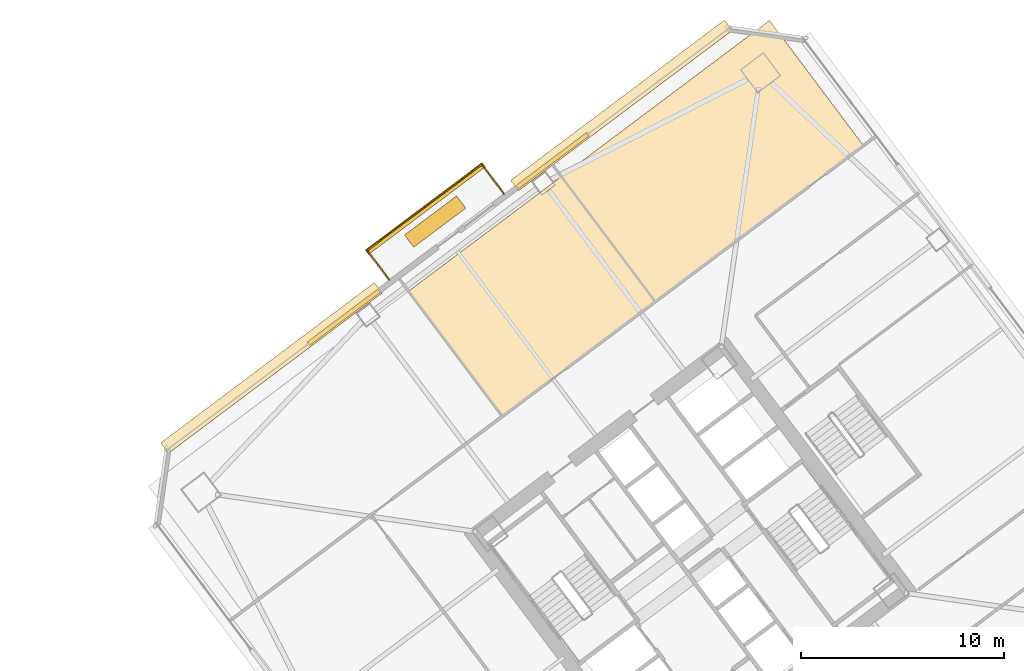
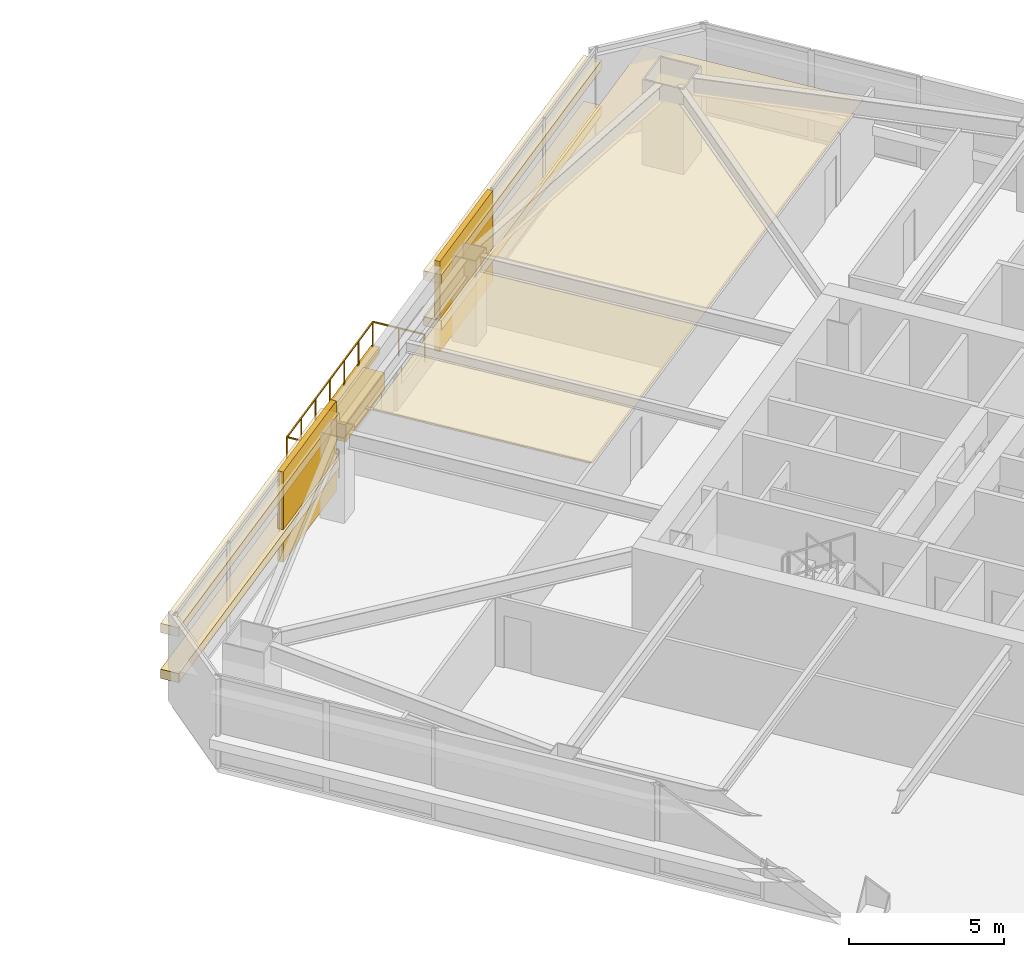
# One storey, part 43 of 44: 10 coverings, 3 railings.
"""IFC4 building model written with IfcOpenShell, lengths in metres."""

from ifc_helpers import new_model, si_unit, direction, frame, origin, origin_2d, place, context, subcontext, project, spatial, polyline, rectangle, outline, extrude, material, layer, layer_set, type_object, element, save


model = new_model("IFC4")

# Units and contexts
model_context = context("Model", 3, precision=1e-05, world=origin(), true_north=direction((0.0, 1.0)))
body_context = subcontext(model_context, "Body", "Model", "MODEL_VIEW")
ifc_project = project(units=[si_unit("LENGTHUNIT", "METRE"), si_unit("AREAUNIT", "SQUARE_METRE"), si_unit("VOLUMEUNIT", "CUBIC_METRE"), si_unit("PLANEANGLEUNIT", "RADIAN"), si_unit("MASSUNIT", "GRAM", prefix="KILO")], contexts=[model_context])

# Site, building, storey
site_placement = place(None, origin())
site = spatial("IfcSite", under=ifc_project, at=site_placement, CompositionType="ELEMENT")
building_placement = place(site_placement, origin())
building = spatial("IfcBuilding", under=site, at=building_placement, Name="Tashvorn Skyway Center", CompositionType="ELEMENT")
storey_placement = place(building_placement, frame((0.0, 0.0, 95.60009765625)))
storey = spatial("IfcBuildingStorey", under=building, at=storey_placement, Name="L25", CompositionType="ELEMENT", Elevation=95.60009765625)

# Coverings
ifc_material_1 = material(Name="Precast concrete C40/50", Category="concrete")
ifc_layer_1 = layer(ifc_material_1, 0.199951171875)
ifc_layer_set_1 = layer_set([ifc_layer_1], Name="Precast concrete C40/50")
covering_type_1 = type_object("IfcCoveringType", Name="COV-BRACE-CLAD", PredefinedType="CLADDING", material=ifc_layer_set_1)
for number, where, z_axis, x_axis, name in (
    (1, (96.9345703125, 44.051025390625, 0.0), (0.0, 0.0, 1.0), (0.799999996291, 0.600000004945, 0.0), "Tower 2 L25 North Curtain Wall L Mega-Brace Cladding Band 1"),
    (2, (107.209228515625, 51.757080078125, 0.0), (0.0, 0.0, 1.0), (0.799999996291, 0.600000004945, 0.0), "Tower 2 L25 North Curtain Wall R Mega-Brace Cladding Band 1"),
):
    element("IfcCovering", number, at=place(storey_placement, frame(where, z_axis=z_axis, x_axis=x_axis)), inside=storey, type_object=covering_type_1, Name=name, PredefinedType="CLADDING", context=body_context, shape_type="SweptSolid", body=[
        extrude(rectangle(XDim=4.34326171875, YDim=0.199951171875, at=origin_2d()), origin(), (0.0, 0.0, 1.0), 3.550048828125),
    ])
ifc_material_2 = material(Name="Mineral-fibre acoustic ceiling tile on suspended grid")
ifc_layer_2 = layer(ifc_material_2, 0.02001953125)
ifc_layer_set_2 = layer_set([ifc_layer_2], Name="Mineral-fibre acoustic ceiling tile on suspended grid")
covering_type_2 = type_object("IfcCoveringType", Name="COV-CEIL-20", PredefinedType="CEILING", material=ifc_layer_set_2)
covering_1_placement = place(storey_placement, frame((0.0, 0.0, 2.682861328125)))
element("IfcCovering", 3, at=covering_1_placement, inside=storey, type_object=covering_type_2, Name="Tower 2 L25 Operations Control Room Acoustic Ceiling", PredefinedType="CEILING", context=body_context, shape_type="SweptSolid", body=[
    extrude(outline(polyline([(104.739990234375, 39.179931640625), (112.260009765625, 44.820068359375), (107.639892578125, 50.97998046875), (100.1201171875, 45.340087890625), (104.739990234375, 39.179931640625)])), origin(), (0.0, 0.0, 1.0), 0.02001953125),
])
covering_2_placement = place(storey_placement, frame((0.0, 0.0, 2.682861328125)))
element("IfcCovering", 4, at=covering_2_placement, inside=storey, type_object=covering_type_2, Name="Tower 2 L25 Boardroom Acoustic Ceiling", PredefinedType="CEILING", context=body_context, shape_type="SweptSolid", body=[
    extrude(outline(polyline([(112.260009765625, 44.820068359375), (122.5, 52.5), (117.8798828125, 58.659912109375), (107.639892578125, 50.97998046875), (112.260009765625, 44.820068359375)])), origin(), (0.0, 0.0, 1.0), 0.02001953125),
])
ifc_material_3 = material(Name="Perforated ceramic-coated bronze aluminium solar screen", Category="aluminium")
ifc_layer_3 = layer(ifc_material_3, 0.85009765625)
ifc_layer_set_3 = layer_set([ifc_layer_3], Name="Perforated ceramic-coated bronze aluminium solar screen")
covering_type_3 = type_object("IfcCoveringType", Name="COV-SOLAR-BAND", PredefinedType="CLADDING", material=ifc_layer_set_3)
for number, where, z_axis, x_axis, name in (
    (5, (93.3759765625, 41.556884765625, 0.919921875), (0.0, 0.0, 1.0), (0.799999996291, 0.600000004945, 0.0), "L25 Perforated Ceramic-Metal Solar Screen Louvre Band North 1"),
    (6, (93.3759765625, 41.556884765625, 2.7197265625), (0.0, 0.0, 1.0), (0.799999996291, 0.600000004945, 0.0), "L25 Perforated Ceramic-Metal Solar Screen Louvre Band North 2"),
    (7, (110.60009765625, 54.47509765625, 0.919921875), (0.0, 0.0, 1.0), (0.799999996291, 0.600000004945, 0.0), "L25 Perforated Ceramic-Metal Solar Screen Louvre Band North 1"),
    (8, (110.60009765625, 54.47509765625, 2.7197265625), (0.0, 0.0, 1.0), (0.799999996291, 0.600000004945, 0.0), "L25 Perforated Ceramic-Metal Solar Screen Louvre Band North 2"),
):
    element("IfcCovering", number, at=place(storey_placement, frame(where, z_axis=z_axis, x_axis=x_axis)), inside=storey, type_object=covering_type_3, Name=name, PredefinedType="CLADDING", context=body_context, shape_type="SweptSolid", body=[
        extrude(rectangle(XDim=13.14990234375, YDim=0.639892578125, at=origin_2d()), origin(), (0.0, 0.0, 1.0), 0.360107421875),
    ])
ifc_layer_4 = layer(ifc_material_1, 0.35009765625)
ifc_layer_set_4 = layer_set([ifc_layer_4], Name="Precast concrete C40/50")
covering_type_4 = type_object("IfcCoveringType", Name="COV-STONE-TRIM", PredefinedType="CLADDING", material=ifc_layer_set_4)
covering_3_placement = place(storey_placement, frame((100.944091796875, 49.407958984375, -0.16015625), z_axis=(0.0, 0.0, 1.0), x_axis=(0.799999996291, 0.600000004945, 0.0)))
element("IfcCovering", 9, at=covering_3_placement, inside=storey, type_object=covering_type_4, Name="Tower 2 L25 Spiral Terrace Terracotta Fascia", PredefinedType="CLADDING", context=body_context, shape_type="SweptSolid", body=[
    extrude(rectangle(XDim=7.199951171875, YDim=0.280029296875, at=origin_2d()), origin(), (0.0, 0.0, 1.0), 0.280029296875),
])
covering_4_placement = place(storey_placement, frame((101.429931640625, 48.760009765625, 0.0), z_axis=(0.0, 0.0, 1.0), x_axis=(0.799999996291, 0.600000004945, 0.0)))
element("IfcCovering", 10, at=covering_4_placement, inside=storey, type_object=covering_type_4, Name="Tower 2 L25 Spiral Terrace Planter", PredefinedType="CLADDING", context=body_context, shape_type="SweptSolid", body=[
    extrude(rectangle(XDim=3.199951171875, YDim=0.75, at=origin_2d()), origin(), (0.0, 0.0, 1.0), 0.679931640625),
])

# Railings
ifc_material_4 = material(Name="Galvanized steel S355", Category="steel")
railing_type = type_object("IfcRailingType", Name="RAIL-GUARD-1120", PredefinedType="GUARDRAIL", material=ifc_material_4)
railing_1_placement = place(storey_placement, frame((99.18408203125, 45.887939453125, 0.0)))
element("IfcRailing", 11, at=railing_1_placement, inside=storey, type_object=railing_type, Name="L25 Tower 2 Terrace Guardrail 01", PredefinedType="GUARDRAIL", context=body_context, shape_type="SweptSolid", body=[
    extrude(rectangle(XDim=0.048095703125, YDim=0.048095703125, at=origin_2d()), frame((0.0, 0.0, 1.09619140625), z_axis=(-0.6, 0.8, 0.0), x_axis=(-0.8, -0.6, 0.0)), (0.0, 0.0, 1.0), 1.820068359375),
    extrude(rectangle(XDim=0.0419921875, YDim=0.0419921875, at=origin_2d()), origin(), (0.0, 0.0, 1.0), 1.072021484375),
    extrude(rectangle(XDim=0.0419921875, YDim=0.0419921875, at=origin_2d()), frame((-0.5458984375, 0.72802734375, 0.0)), (0.0, 0.0, 1.0), 1.072021484375),
    extrude(rectangle(XDim=0.0419921875, YDim=0.0419921875, at=origin_2d()), frame((-1.092041015625, 1.4560546875, 0.0)), (0.0, 0.0, 1.0), 1.072021484375),
])
railing_2_placement = place(storey_placement, frame((98.092041015625, 47.343994140625, 0.0)))
element("IfcRailing", 12, at=railing_2_placement, inside=storey, type_object=railing_type, Name="L25 Tower 2 Terrace Guardrail 02", PredefinedType="GUARDRAIL", context=body_context, shape_type="SweptSolid", body=[
    extrude(rectangle(XDim=0.048095703125, YDim=0.048095703125, at=origin_2d()), frame((0.0, 0.0, 1.09619140625), z_axis=(0.799995838574, 0.600005548528, 0.0), x_axis=(-0.600005548528, 0.799995838574, 0.0)), (0.0, 0.0, 1.0), 7.0400390625),
    extrude(rectangle(XDim=0.0419921875, YDim=0.0419921875, at=origin_2d()), origin(), (0.0, 0.0, 1.0), 1.072021484375),
    extrude(rectangle(XDim=0.0419921875, YDim=0.0419921875, at=origin_2d()), frame((0.938720703125, 0.7041015625, 0.0)), (0.0, 0.0, 1.0), 1.072021484375),
    extrude(rectangle(XDim=0.0419921875, YDim=0.0419921875, at=origin_2d()), frame((1.87744140625, 1.407958984375, 0.0)), (0.0, 0.0, 1.0), 1.072021484375),
    extrude(rectangle(XDim=0.0419921875, YDim=0.0419921875, at=origin_2d()), frame((2.81591796875, 2.112060546875, 0.0)), (0.0, 0.0, 1.0), 1.072021484375),
    extrude(rectangle(XDim=0.0419921875, YDim=0.0419921875, at=origin_2d()), frame((3.754638671875, 2.816162109375, 0.0)), (0.0, 0.0, 1.0), 1.072021484375),
    extrude(rectangle(XDim=0.0419921875, YDim=0.0419921875, at=origin_2d()), frame((4.693359375, 3.52001953125, 0.0)), (0.0, 0.0, 1.0), 1.072021484375),
    extrude(rectangle(XDim=0.0419921875, YDim=0.0419921875, at=origin_2d()), frame((5.632080078125, 4.22412109375, 0.0)), (0.0, 0.0, 1.0), 1.072021484375),
])
railing_3_placement = place(storey_placement, frame((103.72412109375, 51.568115234375, 0.0)))
element("IfcRailing", 13, at=railing_3_placement, inside=storey, type_object=railing_type, Name="L25 Tower 2 Terrace Guardrail 03", PredefinedType="GUARDRAIL", context=body_context, shape_type="SweptSolid", body=[
    extrude(rectangle(XDim=0.048095703125, YDim=0.048095703125, at=origin_2d()), frame((0.0, 0.0, 1.09619140625), z_axis=(0.599914141212, -0.800064386893, 0.0), x_axis=(0.800064386893, 0.599914141212, 0.0)), (0.0, 0.0, 1.0), 1.81982421875),
    extrude(rectangle(XDim=0.0419921875, YDim=0.0419921875, at=origin_2d()), origin(), (0.0, 0.0, 1.0), 1.072021484375),
    extrude(rectangle(XDim=0.0419921875, YDim=0.0419921875, at=origin_2d()), frame((0.5458984375, -0.72802734375, 0.0)), (0.0, 0.0, 1.0), 1.072021484375),
    extrude(rectangle(XDim=0.0419921875, YDim=0.0419921875, at=origin_2d()), frame((1.091796875, -1.4560546875, 0.0)), (0.0, 0.0, 1.0), 1.072021484375),
])

save(model, "model.ifc")
